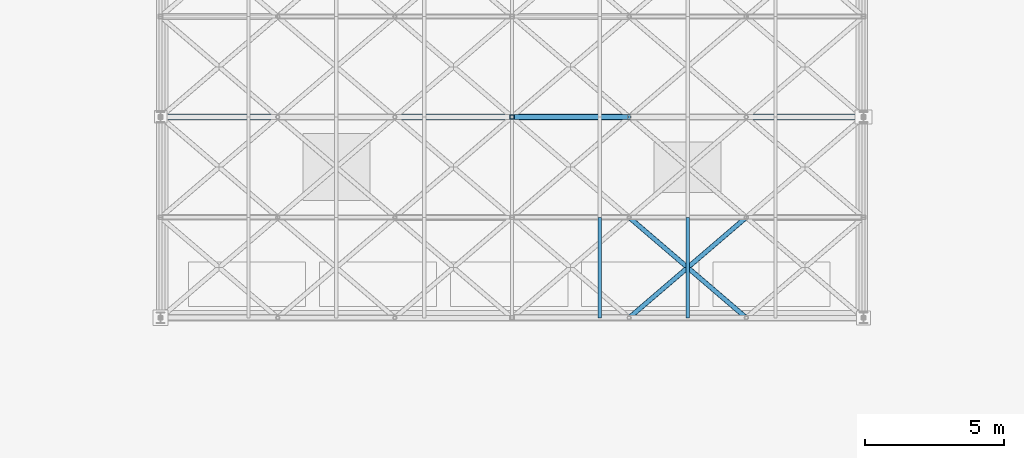
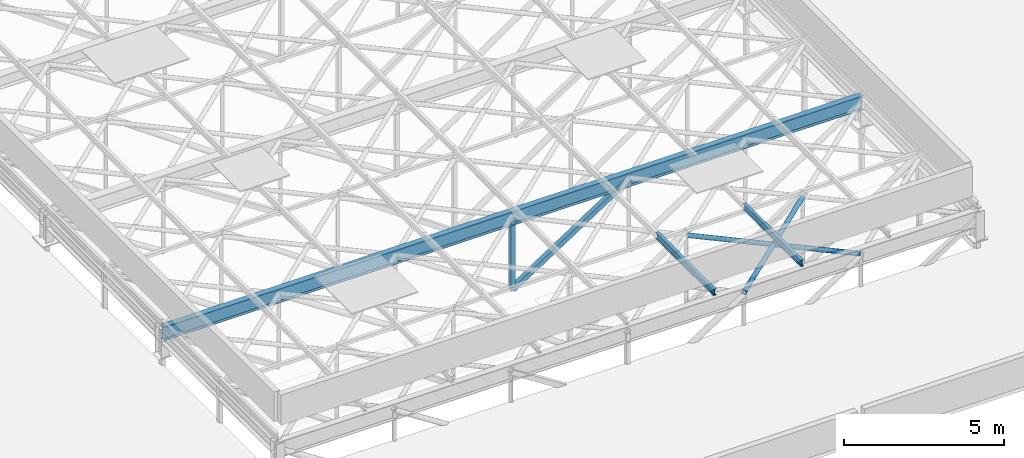
# One storey, part 7 of 45: 6 members, 1 beam.
"""IFC4 building model written with IfcOpenShell, lengths in metres."""

from ifc_helpers import new_model, si_unit, derived_unit, direction, frame, origin, origin_2d, place, context, subcontext, project, spatial, hollow_rectangle, hollow_circle, i_section, extrude, material, material_profile, profile_set, type_object, element, save


model = new_model("IFC4")

# Units and contexts
model_context = context("Model", 3, precision=1e-05, world=origin(), true_north=direction((0.0, 1.0)))
body_context = subcontext(model_context, "Body", "Model", "MODEL_VIEW")
ifc_project = project(units=[si_unit("LENGTHUNIT", "METRE"), si_unit("AREAUNIT", "SQUARE_METRE"), si_unit("VOLUMEUNIT", "CUBIC_METRE"), si_unit("PLANEANGLEUNIT", "RADIAN"), si_unit("MASSUNIT", "GRAM", prefix="KILO"), derived_unit("THERMALTRANSMITTANCEUNIT", [(si_unit("MASSUNIT", "GRAM", prefix="KILO"), 1), (si_unit("TIMEUNIT", "SECOND"), -3), (si_unit("THERMODYNAMICTEMPERATUREUNIT", "KELVIN"), -1)])], contexts=[model_context])

# Site, building, storey
site_placement = place(None, origin())
site = spatial("IfcSite", under=ifc_project, at=site_placement, CompositionType="ELEMENT")
building_placement = place(site_placement, origin())
building = spatial("IfcBuilding", under=site, at=building_placement, Name="Veldstrom Oceanarium and Marine Research Institute", CompositionType="ELEMENT")
storey_placement = place(building_placement, frame((0.0, 0.0, 22.199951171875)))
storey = spatial("IfcBuildingStorey", under=building, at=storey_placement, Name="L04", CompositionType="ELEMENT", Elevation=22.199951171875)

# Beam
ifc_material_1 = material(Name="Steel S355JR", Category="steel")
ifc_material_profile_1 = material_profile(ifc_material_1, i_section(OverallWidth=0.209228515625, OverallDepth=0.533203125, WebThickness=0.010009765625, FlangeThickness=0.015625, FilletRadius=0.0126953125, at=origin_2d()), Name="UB 533x210x92")
ifc_profile_set_1 = profile_set([ifc_material_profile_1], Name="Steel S355JR")
beam_type = type_object("IfcBeamType", Name="STR-BM-SB2", PredefinedType="BEAM", material=ifc_profile_set_1)
beam_placement = place(storey_placement, frame((16.800048828125, 21.60009765625, 0.843505859375), z_axis=(1.0, 0.0, 0.0), x_axis=(0.0, 1.0, 0.0)))
element("IfcBeam", 1, at=beam_placement, inside=storey, type_object=beam_type, Name="Aquarium Roof Truss Top-Chord Girder RT03", PredefinedType="BEAM", context=body_context, shape_type="SweptSolid", body=[
    extrude(i_section(OverallWidth=0.209228515625, OverallDepth=0.533203125, WebThickness=0.010009765625, FlangeThickness=0.015625, FilletRadius=0.0126953125, at=origin_2d()), origin(), (0.0, 0.0, 1.0), 25.199951171875),
])

# Members
ifc_material_2 = material(Name="Steel S355JR", Category="steel")
ifc_material_profile_2 = material_profile(ifc_material_2, hollow_circle(Radius=0.084228515625, WallThickness=0.008056640625, at=origin_2d()), Name="CHS 168.3x8")
ifc_profile_set_2 = profile_set([ifc_material_profile_2], Name="Steel S355JR")
member_type_1 = type_object("IfcMemberType", Name="STR-MEM-BR3", PredefinedType="BRACE", material=ifc_profile_set_2)
for number, where, z_axis, x_axis, name in (
    (2, (33.60009765625, 14.39990234375, 0.860107421875), (0.759244140748, 0.650805911728, 0.0), (-0.650805911728, 0.759244140748, 0.0), "Roof Plan Wind Brace WB-01-5"),
    (3, (37.800048828125, 14.39990234375, 0.860107421875), (-0.759244140748, 0.650805911728, 0.0), (-0.650805911728, -0.759244140748, 0.0), "Roof Plan Counter Wind Brace WB-01-5B"),
):
    element("IfcMember", number, at=place(storey_placement, frame(where, z_axis=z_axis, x_axis=x_axis)), inside=storey, type_object=member_type_1, Name=name, PredefinedType="BRACE", context=body_context, shape_type="SweptSolid", body=[
        extrude(hollow_circle(Radius=0.084228515625, WallThickness=0.008056640625, at=origin_2d()), origin(), (0.0, 0.0, 1.0), 5.53173828125),
    ])
ifc_material_3 = material(Name="Steel S355JR", Category="steel")
ifc_material_profile_3 = material_profile(ifc_material_3, hollow_rectangle(XDim=0.179931640625, YDim=0.179931640625, WallThickness=0.010009765625, at=origin_2d()), Name="SHS 180x180x10")
ifc_profile_set_3 = profile_set([ifc_material_profile_3], Name="Steel S355JR")
member_type_2 = type_object("IfcMemberType", Name="STR-MEM-BR4", PredefinedType="BRACE", material=ifc_profile_set_3)
member_1_placement = place(storey_placement, frame((29.39990234375, 21.60009765625, -1.89990234375), z_axis=(0.837231854683, 0.0, 0.546848078998), x_axis=(0.0, 1.0, 0.0)))
element("IfcMember", 4, at=member_1_placement, inside=storey, type_object=member_type_2, Name="Truss Web Diagonal RT03-4", PredefinedType="BRACE", context=body_context, shape_type="SweptSolid", body=[
    extrude(hollow_rectangle(XDim=0.179931640625, YDim=0.179931640625, WallThickness=0.010009765625, at=origin_2d()), origin(), (0.0, 0.0, 1.0), 5.016845703125),
])
ifc_material_4 = material(Name="Steel S355JR", Category="steel")
ifc_material_profile_4 = material_profile(ifc_material_4, i_section(OverallWidth=0.1201171875, OverallDepth=0.239990234375, WebThickness=0.006103515625, FlangeThickness=0.009765625, FilletRadius=0.014892578125, at=origin_2d()), Name="IPE 240")
ifc_profile_set_4 = profile_set([ifc_material_profile_4], Name="Steel S355JR")
member_type_3 = type_object("IfcMemberType", Name="STR-MEM-PR1", PredefinedType="PURLIN", material=ifc_profile_set_4)
for number, where, z_axis, x_axis, name in (
    (5, (32.550048828125, 14.39990234375, 1.22998046875), (0.0, 1.0, 0.0), (-1.0, 0.0, 0.0), "Hall Roof Purlin PR-02-6"),
    (6, (35.699951171875, 14.39990234375, 1.22998046875), (0.0, 1.0, 0.0), (-1.0, 0.0, 0.0), "Hall Roof Purlin PR-02-7"),
):
    element("IfcMember", number, at=place(storey_placement, frame(where, z_axis=z_axis, x_axis=x_axis)), inside=storey, type_object=member_type_3, Name=name, PredefinedType="PURLIN", context=body_context, shape_type="SweptSolid", body=[
        extrude(i_section(OverallWidth=0.1201171875, OverallDepth=0.239990234375, WebThickness=0.006103515625, FlangeThickness=0.009765625, FilletRadius=0.014892578125, at=origin_2d()), origin(), (0.0, 0.0, 1.0), 3.60009765625),
    ])
ifc_material_5 = material(Name="Steel S355JR", Category="steel")
ifc_material_profile_5 = material_profile(ifc_material_5, hollow_rectangle(XDim=0.14990234375, YDim=0.14990234375, WallThickness=0.010009765625, at=origin_2d()), Name="SHS 150x150x10")
ifc_profile_set_5 = profile_set([ifc_material_profile_5], Name="Steel S355JR")
member_type_4 = type_object("IfcMemberType", Name="STR-MEM-PS1", PredefinedType="POST", material=ifc_profile_set_5)
member_2_placement = place(storey_placement, frame((29.39990234375, 21.60009765625, -1.89990234375), z_axis=(0.0, 0.0, 1.0), x_axis=(1.0, 0.0, 0.0)))
element("IfcMember", 7, at=member_2_placement, inside=storey, type_object=member_type_4, Name="Truss Vertical Post RT03-4", PredefinedType="POST", context=body_context, shape_type="SweptSolid", body=[
    extrude(hollow_rectangle(XDim=0.14990234375, YDim=0.14990234375, WallThickness=0.010009765625, at=origin_2d()), origin(), (0.0, 0.0, 1.0), 2.743408203125),
])

save(model, "model.ifc")
